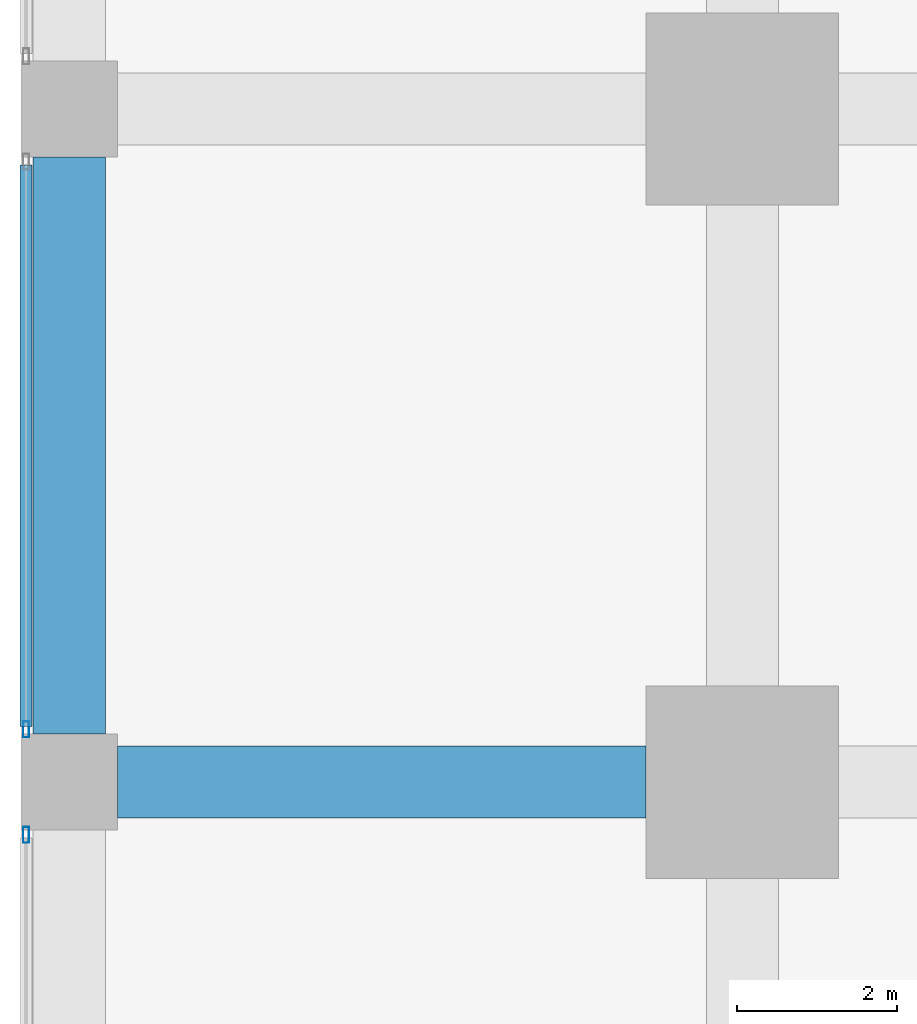
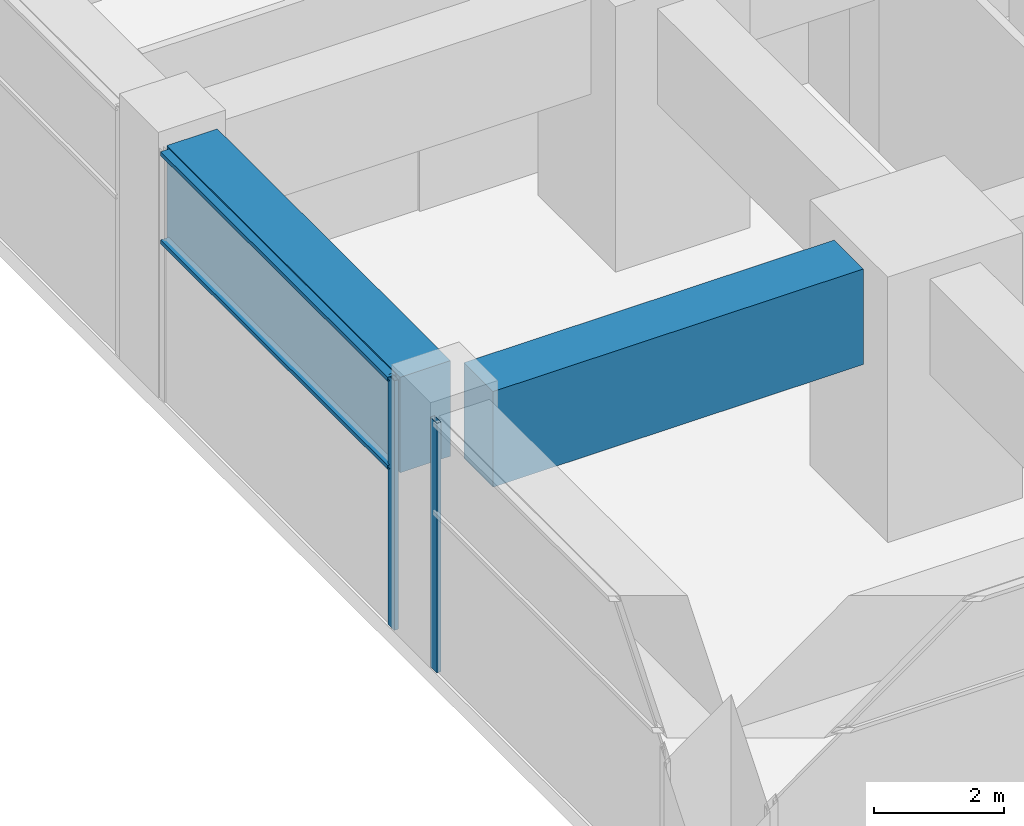
# One storey, part 5 of 49: 4 members, 2 beams, 2 elements without a shape of their own.
"""IFC4 building model written with IfcOpenShell, lengths in metres."""

from ifc_helpers import new_model, si_unit, direction, frame, origin, origin_2d, place, context, subcontext, project, spatial, rectangle, hollow_rectangle, extrude, material, material_profile, profile_set, type_object, element, aggregate, save


model = new_model("IFC4")

# Units and contexts
model_context = context("Model", 3, precision=1e-05, world=origin(), true_north=direction((0.0, 1.0)))
body_context = subcontext(model_context, "Body", "Model", "MODEL_VIEW")
ifc_project = project(units=[si_unit("LENGTHUNIT", "METRE"), si_unit("AREAUNIT", "SQUARE_METRE"), si_unit("VOLUMEUNIT", "CUBIC_METRE"), si_unit("PLANEANGLEUNIT", "RADIAN"), si_unit("MASSUNIT", "GRAM", prefix="KILO")], contexts=[model_context])

# Site, building, storey
site_placement = place(None, origin())
site = spatial("IfcSite", under=ifc_project, at=site_placement, CompositionType="ELEMENT")
building_placement = place(site_placement, origin())
building = spatial("IfcBuilding", under=site, at=building_placement, Name="Rekha Terrace Tower", CompositionType="ELEMENT")
storey_placement = place(building_placement, frame((0.0, 0.0, 10.39990234375)))
storey = spatial("IfcBuildingStorey", under=building, at=storey_placement, Name="L02", CompositionType="ELEMENT", Elevation=10.39990234375)

# Curtain wall, member
ifc_material_1 = material(Name="Aluminium framing", Category="aluminium")
curtain_wall_type = type_object("IfcCurtainWallType", Name="CW4 podium shopfront glazing", PredefinedType="USERDEFINED", material=ifc_material_1)
curtain_wall_1_placement = place(storey_placement, origin())
curtain_wall_1 = element("IfcCurtainWall", 1, at=curtain_wall_1_placement, inside=storey, type_object=curtain_wall_type, Name="CW4 shopfront curtain wall", ObjectType="SHOPFRONT CURTAIN WALL", PredefinedType="USERDEFINED")
ifc_material_2 = material(Name="Aluminium mullion section", Category="aluminium")
ifc_material_profile_1 = material_profile(ifc_material_2, hollow_rectangle(XDim=0.074951171875, YDim=0.199951171875, WallThickness=0.00390625, at=origin_2d()), Name="AL RHS 75x200")
ifc_profile_set_1 = profile_set([ifc_material_profile_1], Name="Aluminium mullion section")
member_type_1 = type_object("IfcMemberType", Name="CW4 mullion RHS 75 x 200", PredefinedType="MULLION", material=ifc_profile_set_1)
member_1_placement = place(storey_placement, frame((-0.5400390625, 9.0576171875, 0.0), z_axis=(0.0, 0.0, 1.0), x_axis=(1.0, 0.0, 0.0)))
member_1 = element("IfcMember", 2, at=member_1_placement, type_object=member_type_1, Name="CW4 mullion 2", PredefinedType="MULLION", context=body_context, shape_type="SweptSolid", body=[
    extrude(hollow_rectangle(XDim=0.074951171875, YDim=0.199951171875, WallThickness=0.00390625, at=origin_2d()), origin(), (0.0, 0.0, 1.0), 4.7001953125),
])

curtain_wall_2_placement = place(storey_placement, origin())
curtain_wall_2 = element("IfcCurtainWall", 3, at=curtain_wall_2_placement, inside=storey, type_object=curtain_wall_type, Name="CW4 shopfront curtain wall", ObjectType="SHOPFRONT CURTAIN WALL", PredefinedType="USERDEFINED")
member_2_placement = place(storey_placement, frame((-0.5400390625, 7.742431640625, 0.0), z_axis=(0.0, 0.0, 1.0), x_axis=(1.0, 0.0, 0.0)))
member_2 = element("IfcMember", 4, at=member_2_placement, type_object=member_type_1, Name="CW4 mullion 1", PredefinedType="MULLION", context=body_context, shape_type="SweptSolid", body=[
    extrude(hollow_rectangle(XDim=0.074951171875, YDim=0.199951171875, WallThickness=0.00390625, at=origin_2d()), origin(), (0.0, 0.0, 1.0), 4.7001953125),
])
aggregate(curtain_wall_2, [member_2])

# Member
ifc_material_3 = material(Name="Aluminium transom section", Category="aluminium")
ifc_material_profile_2 = material_profile(ifc_material_3, hollow_rectangle(XDim=0.14990234375, YDim=0.074951171875, WallThickness=0.0029296875, at=origin_2d()), Name="AL RHS 150x75")
ifc_profile_set_2 = profile_set([ifc_material_profile_2], Name="Aluminium transom section")
member_type_2 = type_object("IfcMemberType", Name="CW4 transom RHS 75 x 150", PredefinedType="USERDEFINED", material=ifc_profile_set_2)
member_3_placement = place(storey_placement, frame((-0.5400390625, 16.10498046875, 3.0), z_axis=(0.0, -1.0, 0.0), x_axis=(1.0, 0.0, 0.0)))
member_3 = element("IfcMember", 5, at=member_3_placement, type_object=member_type_2, Name="CW4 transom 1.2", ObjectType="TRANSOM", PredefinedType="USERDEFINED", context=body_context, shape_type="SweptSolid", body=[
    extrude(hollow_rectangle(XDim=0.14990234375, YDim=0.074951171875, WallThickness=0.0029296875, at=origin_2d()), origin(), (0.0, 0.0, 1.0), 7.010009765625),
])

member_4_placement = place(storey_placement, frame((-0.5400390625, 16.10498046875, 4.66259765625), z_axis=(0.0, -1.0, 0.0), x_axis=(1.0, 0.0, 0.0)))
member_4 = element("IfcMember", 6, at=member_4_placement, type_object=member_type_2, Name="CW4 transom 1.3", ObjectType="TRANSOM", PredefinedType="USERDEFINED", context=body_context, shape_type="SweptSolid", body=[
    extrude(hollow_rectangle(XDim=0.14990234375, YDim=0.074951171875, WallThickness=0.0029296875, at=origin_2d()), origin(), (0.0, 0.0, 1.0), 7.010009765625),
])

aggregate(curtain_wall_1, [member_1, member_3, member_4])

# Beams
ifc_material_4 = material(Name="Concrete M60", Category="concrete")
ifc_material_profile_3 = material_profile(ifc_material_4, rectangle(XDim=0.89990234375, YDim=1.800048828125, at=origin_2d()), Name="RC 900x1800")
ifc_profile_set_3 = profile_set([ifc_material_profile_3], Name="Concrete M60")
beam_type = type_object("IfcBeamType", Name="G1 900x1800 podium floor beam", PredefinedType="BEAM", material=ifc_profile_set_3)
beam_1_placement = place(storey_placement, frame((0.60009765625, 8.39990234375, 3.800048828125), z_axis=(1.0, 0.0, 0.0), x_axis=(0.0, 1.0, 0.0)))
element("IfcBeam", 7, at=beam_1_placement, inside=storey, type_object=beam_type, Name="Beam G1 1B-2B under L03", PredefinedType="BEAM", context=body_context, shape_type="SweptSolid", body=[
    extrude(rectangle(XDim=0.89990234375, YDim=1.800048828125, at=origin_2d()), origin(), (0.0, 0.0, 1.0), 6.599853515625),
])
beam_2_placement = place(storey_placement, frame((0.0, 9.0, 3.800048828125), z_axis=(0.0, 1.0, 0.0), x_axis=(-1.0, 0.0, 0.0)))
element("IfcBeam", 8, at=beam_2_placement, inside=storey, type_object=beam_type, Name="Beam G1 1B-1C under L03", PredefinedType="BEAM", context=body_context, shape_type="SweptSolid", body=[
    extrude(rectangle(XDim=0.89990234375, YDim=1.800048828125, at=origin_2d()), origin(), (0.0, 0.0, 1.0), 7.199951171875),
])

save(model, "model.ifc")
